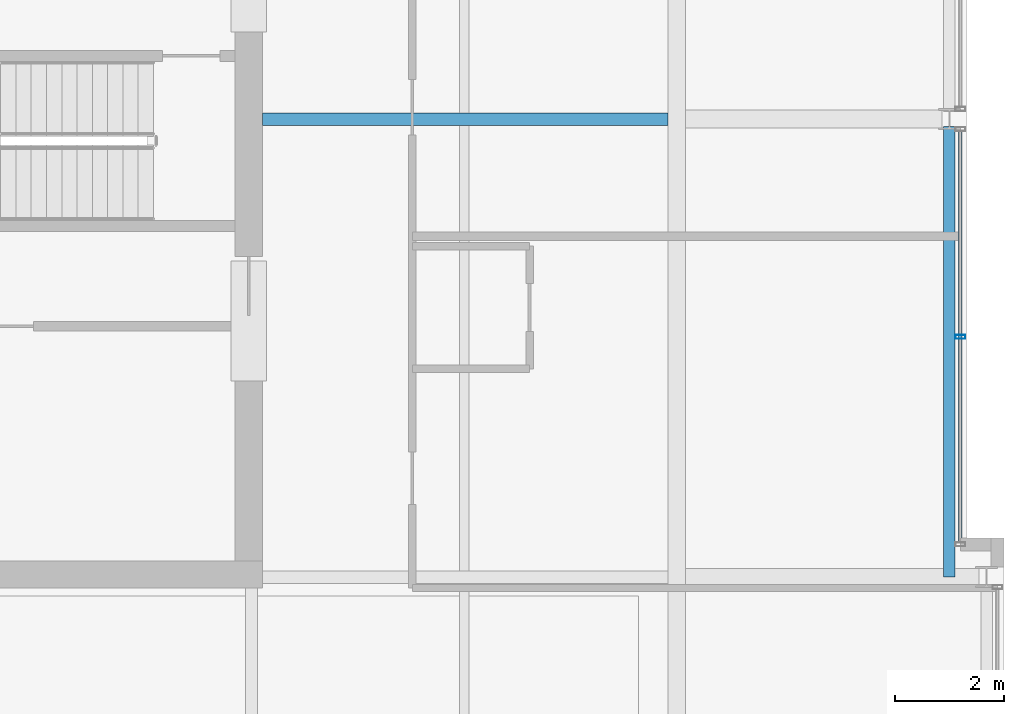
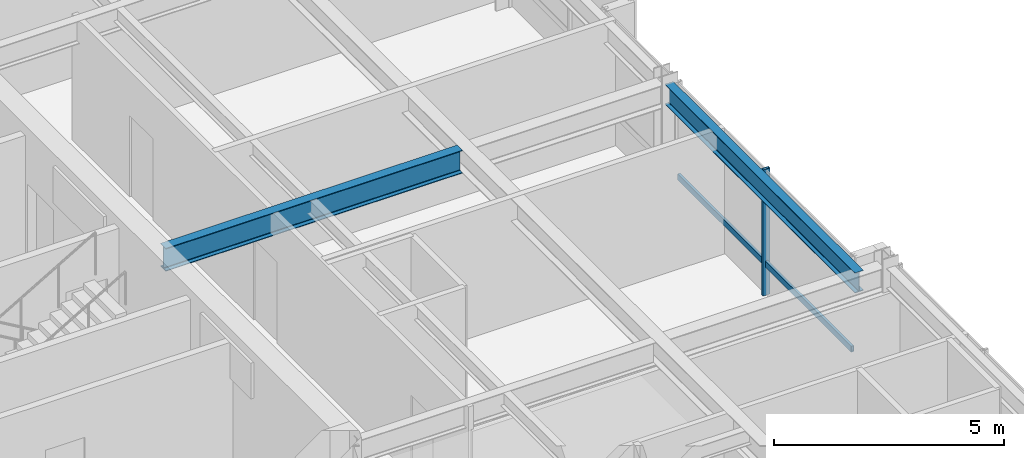
# One storey, part 14 of 31: 2 beams, 2 members, 1 element without a shape of its own.
"""IFC4 building model written with IfcOpenShell, lengths in metres."""

from ifc_helpers import new_model, si_unit, direction, frame, origin, origin_2d, place, context, subcontext, project, spatial, hollow_rectangle, i_section, extrude, material, layer, layer_set, material_profile, profile_set, type_object, element, aggregate, save


model = new_model("IFC4")

# Units and contexts
model_context = context("Model", 3, precision=1e-05, world=origin(), true_north=direction((0.0, 1.0)))
body_context = subcontext(model_context, "Body", "Model", "MODEL_VIEW")
ifc_project = project(units=[si_unit("LENGTHUNIT", "METRE"), si_unit("AREAUNIT", "SQUARE_METRE"), si_unit("VOLUMEUNIT", "CUBIC_METRE"), si_unit("PLANEANGLEUNIT", "RADIAN"), si_unit("MASSUNIT", "GRAM", prefix="KILO")], contexts=[model_context])

# Site, building, storey
site_placement = place(None, origin())
site = spatial("IfcSite", under=ifc_project, at=site_placement, CompositionType="ELEMENT")
building_placement = place(site_placement, origin())
building = spatial("IfcBuilding", under=site, at=building_placement, Name="Drelvath Grand Hotel", CompositionType="ELEMENT")
storey_placement = place(building_placement, frame((0.0, 0.0, 230.300048828125)))
storey = spatial("IfcBuildingStorey", under=building, at=storey_placement, Name="L60", CompositionType="ELEMENT", Elevation=230.300048828125)

# Curtain wall, members
ifc_material_1 = material(Name="Platinum-Mist Anodised Aluminium Frame", Category="aluminium")
ifc_layer = layer(ifc_material_1, 0.199951171875)
ifc_layer_set = layer_set([ifc_layer], Name="Platinum-Mist Anodised Aluminium Frame")
curtain_wall_type = type_object("IfcCurtainWallType", Name="Stick Curtain Wall CW-05 Platinum Mist High-Rise", PredefinedType="NOTDEFINED", material=ifc_layer_set)
curtain_wall_placement = place(storey_placement, origin())
curtain_wall = element("IfcCurtainWall", 1, at=curtain_wall_placement, inside=storey, type_object=curtain_wall_type, Name="L60 CW-05 Curtain Wall CW05-L60-EM1", PredefinedType="NOTDEFINED")
ifc_material_profile_1 = material_profile(ifc_material_1, hollow_rectangle(XDim=0.06494140625, YDim=0.159912109375, WallThickness=0.00390625, at=origin_2d()), Name="HSS160X65X4")
ifc_profile_set_1 = profile_set([ifc_material_profile_1], Name="Platinum-Mist Anodised Aluminium Frame")
member_type_1 = type_object("IfcMemberType", Name="Curtain Wall Horizontal Transom CW-05 HSS160X65X4", PredefinedType="USERDEFINED", material=ifc_profile_set_1)
member_1_placement = place(storey_placement, frame((21.39990234375, 26.774658203125, 0.8349609375), z_axis=(0.0, -1.0, 0.0), x_axis=(1.0, 0.0, 0.0)))
member_1 = element("IfcMember", 2, at=member_1_placement, type_object=member_type_1, Name="CW05-L60-EM1 Sill Transom", ObjectType="TRANSOM", PredefinedType="USERDEFINED", context=body_context, shape_type="SweptSolid", body=[
    extrude(hollow_rectangle(XDim=0.06494140625, YDim=0.159912109375, WallThickness=0.00390625, at=origin_2d()), origin(), (0.0, 0.0, 1.0), 7.53466796875),
])
ifc_material_profile_2 = material_profile(ifc_material_1, hollow_rectangle(XDim=0.074951171875, YDim=0.179931640625, WallThickness=0.0048828125, at=origin_2d()), Name="HSS180X75X5")
ifc_profile_set_2 = profile_set([ifc_material_profile_2], Name="Platinum-Mist Anodised Aluminium Frame")
member_type_2 = type_object("IfcMemberType", Name="Curtain Wall Vertical Mullion CW-05 HSS180X75X5", PredefinedType="MULLION", material=ifc_profile_set_2)
member_2_placement = place(storey_placement, frame((21.39990234375, 23.00732421875, 0.0), z_axis=(0.0, 0.0, 1.0), x_axis=(0.0, 1.0, 0.0)))
member_2 = element("IfcMember", 3, at=member_2_placement, type_object=member_type_2, Name="CW05-L60-EM1 Mullion 2", PredefinedType="MULLION", context=body_context, shape_type="SweptSolid", body=[
    extrude(hollow_rectangle(XDim=0.074951171875, YDim=0.179931640625, WallThickness=0.0048828125, at=origin_2d()), origin(), (0.0, 0.0, 1.0), 3.33984375),
])
aggregate(curtain_wall, [member_2, member_1])

# Beams
ifc_material_2 = material(Name="Steel ASTM A992 Gr 50", Category="steel")
ifc_material_profile_3 = material_profile(ifc_material_2, i_section(OverallWidth=0.210205078125, OverallDepth=0.53662109375, WebThickness=0.010986328125, FlangeThickness=0.017333984375, FilletRadius=0.01806640625, at=origin_2d()), Name="W21X68")
ifc_profile_set_3 = profile_set([ifc_material_profile_3], Name="Steel ASTM A992 Gr 50")
beam_type_1 = type_object("IfcBeamType", Name="Perimeter Spandrel Beam W21X68", PredefinedType="SPANDREL", material=ifc_profile_set_3)
beam_1_placement = place(storey_placement, frame((21.199951171875, 18.60009765625, 3.071533203125), z_axis=(0.0, 1.0, 0.0), x_axis=(-1.0, 0.0, 0.0)))
element("IfcBeam", 4, at=beam_1_placement, inside=storey, type_object=beam_type_1, Name="L60 Spandrel East Mid S", PredefinedType="SPANDREL", context=body_context, shape_type="SweptSolid", body=[
    extrude(i_section(OverallWidth=0.210205078125, OverallDepth=0.53662109375, WebThickness=0.010986328125, FlangeThickness=0.017333984375, FilletRadius=0.01806640625, at=origin_2d()), origin(), (0.0, 0.0, 1.0), 8.260009765625),
])
ifc_material_profile_4 = material_profile(ifc_material_2, i_section(OverallWidth=0.228271484375, OverallDepth=0.607666015625, WebThickness=0.01123046875, FlangeThickness=0.017333984375, FilletRadius=0.02001953125, at=origin_2d()), Name="W24X76")
ifc_profile_set_4 = profile_set([ifc_material_profile_4], Name="Steel ASTM A992 Gr 50")
beam_type_2 = type_object("IfcBeamType", Name="Primary Floor Girder W24X76", PredefinedType="BEAM", material=ifc_profile_set_4)
beam_2_placement = place(storey_placement, frame((8.60009765625, 27.0, 3.0361328125), z_axis=(1.0, 0.0, 0.0), x_axis=(0.0, 1.0, 0.0)))
element("IfcBeam", 5, at=beam_2_placement, inside=storey, type_object=beam_type_2, Name="L60 East Core Tie E", PredefinedType="BEAM", context=body_context, shape_type="SweptSolid", body=[
    extrude(i_section(OverallWidth=0.228271484375, OverallDepth=0.607666015625, WebThickness=0.01123046875, FlangeThickness=0.017333984375, FilletRadius=0.02001953125, at=origin_2d()), origin(), (0.0, 0.0, 1.0), 7.43798828125),
])

save(model, "model.ifc")
